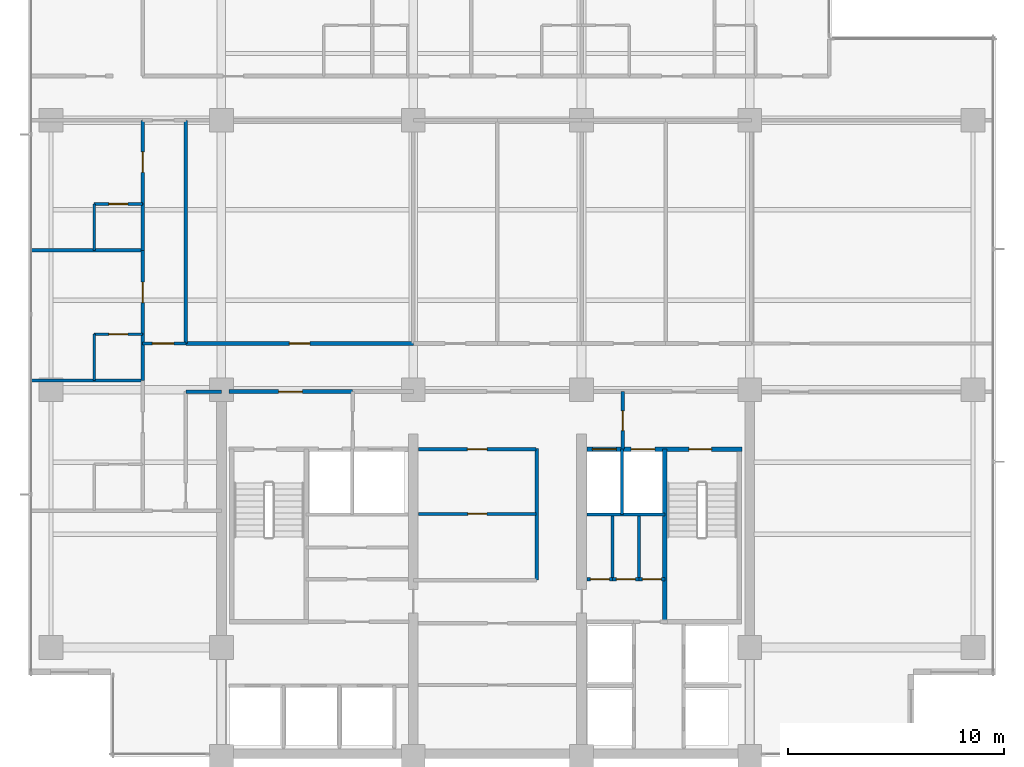
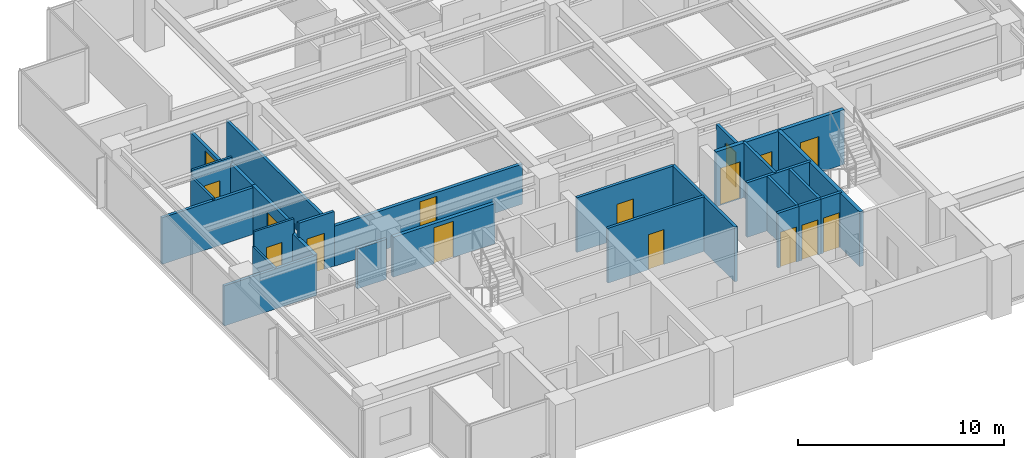
# One storey, part 8 of 14: 28 walls, 16 doors, 16 openings.
"""IFC4 building model written with IfcOpenShell, lengths in metres."""

from ifc_helpers import new_model, si_unit, direction, frame, frame_2d, origin, place, context, subcontext, project, spatial, rectangle, extrude, material, layer, layer_set, type_object, element, fill, save


model = new_model("IFC4")

# Units and contexts
model_context = context("Model", 3, precision=1e-05, world=origin(), true_north=direction((0.0, 1.0)))
body_context = subcontext(model_context, "Body", "Model", "MODEL_VIEW")
ifc_project = project(units=[si_unit("LENGTHUNIT", "METRE"), si_unit("AREAUNIT", "SQUARE_METRE"), si_unit("VOLUMEUNIT", "CUBIC_METRE"), si_unit("PLANEANGLEUNIT", "RADIAN"), si_unit("MASSUNIT", "GRAM", prefix="KILO")], contexts=[model_context])

# Site, building, storey
site_placement = place(None, origin())
site = spatial("IfcSite", under=ifc_project, at=site_placement, CompositionType="ELEMENT")
building_placement = place(site_placement, origin())
building = spatial("IfcBuilding", under=site, at=building_placement, Name="Qalmaran Belvedere Hotel", CompositionType="ELEMENT")
storey_placement = place(building_placement, frame((0.0, 0.0, 152.60009765625)))
storey = spatial("IfcBuildingStorey", under=building, at=storey_placement, Name="L38", CompositionType="ELEMENT", Elevation=152.60009765625)

# Wall, opening, door
ifc_material_1 = material(Name="Moisture-Resistant Gypsum")
ifc_layer_1 = layer(ifc_material_1, 0.1201171875, Name="Moisture-Resistant Gypsum")
ifc_layer_set_1 = layer_set([ifc_layer_1], Name="Moisture-Resistant Gypsum")
wall_type_1 = type_object("IfcWallType", Name="WL-INT-120-BATH", PredefinedType="PARTITIONING", material=ifc_layer_set_1)
wall_1_placement = place(storey_placement, frame((14.39990234375, 23.083251953125, 0.0), z_axis=(0.0, 0.0, 1.0), x_axis=(1.0, 0.0, 0.0)))
wall_1 = element("IfcWall", 1, at=wall_1_placement, inside=storey, type_object=wall_type_1, Name="L38 Partition WL-L38-WBN01", PredefinedType="PARTITIONING", context=body_context, shape_type="SweptSolid", body=[
    extrude(rectangle(XDim=2.25, YDim=0.1201171875, at=frame_2d((1.125, 0.0))), origin(), (0.0, 0.0, 1.0), 3.25),
])
opening_1_placement = place(wall_1_placement, frame((1.56494140625, 0.0, 0.0), z_axis=(0.0, 0.0, 1.0), x_axis=(-1.0, 0.0, 0.0)))
opening_1 = element("IfcOpeningElement", 2, at=opening_1_placement, cuts=wall_1, Name="Opening D-BATH", PredefinedType="OPENING", context=body_context, shape_type="SweptSolid", body=[
    extrude(rectangle(XDim=0.8798828125, YDim=2.080078125, at=frame_2d((0.43994140625, 1.0400390625))), frame((0.0, 0.070068359375, 0.0), z_axis=(0.0, -1.0, 0.0), x_axis=(1.0, 0.0, 0.0)), (0.0, 0.0, 1.0), 0.14013671875),
])
ifc_material_2 = material(Name="Engineered Oak Veneer")
door_type_1 = type_object("IfcDoorType", Name="DR-INT-BATH-880X2080", OperationType="NOTDEFINED", PredefinedType="DOOR", material=ifc_material_2)
door_1_placement = place(opening_1_placement, origin())
door_1 = element("IfcDoor", 3, at=door_1_placement, inside=storey, type_object=door_type_1, Name="L38 W Ensuite Door 02", OperationType="SINGLE_SWING_RIGHT", OverallHeight=2.080078125, OverallWidth=0.8798828125, PredefinedType="DOOR", context=body_context, shape_type="SweptSolid", body=[
    extrude(rectangle(XDim=0.8798828125, YDim=2.080078125, at=frame_2d((0.43994140625, 1.0400390625))), frame((0.0, 0.02490234375, 0.0), z_axis=(0.0, -1.0, 0.0), x_axis=(1.0, 0.0, 0.0)), (0.0, 0.0, 1.0), 0.050048828125),
])
fill(opening_1, door_1)

# Wall
wall_2_placement = place(storey_placement, frame((14.39990234375, 20.933349609375, 0.0), z_axis=(0.0, 0.0, 1.0), x_axis=(0.0, 1.0, 0.0)))
element("IfcWall", 4, at=wall_2_placement, inside=storey, type_object=wall_type_1, Name="L38 Partition WL-L38-WBS01", PredefinedType="PARTITIONING", context=body_context, shape_type="SweptSolid", body=[
    extrude(rectangle(XDim=2.14990234375, YDim=0.1201171875, at=frame_2d((1.074951171875, 0.0))), origin(), (0.0, 0.0, 1.0), 2.3798828125),
])

# Wall, opening, door
wall_3_placement = place(storey_placement, frame((14.39990234375, 29.11669921875, 0.0), z_axis=(0.0, 0.0, 1.0), x_axis=(1.0, 0.0, 0.0)))
wall_3 = element("IfcWall", 5, at=wall_3_placement, inside=storey, type_object=wall_type_1, Name="L38 Partition WL-L38-WBN02", PredefinedType="PARTITIONING", context=body_context, shape_type="SweptSolid", body=[
    extrude(rectangle(XDim=2.25, YDim=0.1201171875, at=frame_2d((1.125, 0.0))), origin(), (0.0, 0.0, 1.0), 3.25),
])
opening_2_placement = place(wall_3_placement, frame((1.56494140625, 0.0, 0.0), z_axis=(0.0, 0.0, 1.0), x_axis=(-1.0, 0.0, 0.0)))
opening_2 = element("IfcOpeningElement", 6, at=opening_2_placement, cuts=wall_3, Name="Opening D-BATH", PredefinedType="OPENING", context=body_context, shape_type="SweptSolid", body=[
    extrude(rectangle(XDim=0.8798828125, YDim=2.080078125, at=frame_2d((0.43994140625, 1.0400390625))), frame((0.0, 0.070068359375, 0.0), z_axis=(0.0, -1.0, 0.0), x_axis=(1.0, 0.0, 0.0)), (0.0, 0.0, 1.0), 0.14013671875),
])
door_2_placement = place(opening_2_placement, origin())
door_2 = element("IfcDoor", 7, at=door_2_placement, inside=storey, type_object=door_type_1, Name="L38 W Ensuite Door 03", OperationType="SINGLE_SWING_RIGHT", OverallHeight=2.080078125, OverallWidth=0.8798828125, PredefinedType="DOOR", context=body_context, shape_type="SweptSolid", body=[
    extrude(rectangle(XDim=0.8798828125, YDim=2.080078125, at=frame_2d((0.43994140625, 1.0400390625))), frame((0.0, 0.02490234375, 0.0), z_axis=(0.0, -1.0, 0.0), x_axis=(1.0, 0.0, 0.0)), (0.0, 0.0, 1.0), 0.050048828125),
])
fill(opening_2, door_2)

# Walls
wall_4_placement = place(storey_placement, frame((14.39990234375, 26.966796875, 0.0), z_axis=(0.0, 0.0, 1.0), x_axis=(0.0, 1.0, 0.0)))
element("IfcWall", 8, at=wall_4_placement, inside=storey, type_object=wall_type_1, Name="L38 Partition WL-L38-WBS02", PredefinedType="PARTITIONING", context=body_context, shape_type="SweptSolid", body=[
    extrude(rectangle(XDim=2.14990234375, YDim=0.1201171875, at=frame_2d((1.074951171875, 0.0))), origin(), (0.0, 0.0, 1.0), 2.880859375),
])
ifc_material_3 = material(Name="Gypsum Stud Partition")
ifc_layer_2 = layer(ifc_material_3, 0.14990234375, Name="Gypsum Stud Partition")
ifc_layer_set_2 = layer_set([ifc_layer_2], Name="Gypsum Stud Partition")
wall_type_2 = type_object("IfcWallType", Name="WL-INT-150-EI120", PredefinedType="PARTITIONING", material=ifc_layer_set_2)
wall_5_placement = place(storey_placement, frame((38.8798828125, 14.719970703125, 0.0), z_axis=(0.0, 0.0, 1.0), x_axis=(0.0, 1.0, 0.0)))
element("IfcWall", 9, at=wall_5_placement, inside=storey, type_object=wall_type_2, Name="L38 Partition WL-FF2M-L38", PredefinedType="PARTITIONING", context=body_context, shape_type="SweptSolid", body=[
    extrude(rectangle(XDim=3.0400390625, YDim=0.14990234375, at=frame_2d((1.52001953125, 0.0))), origin(), (0.0, 0.0, 1.0), 3.25),
])
ifc_layer_3 = layer(ifc_material_3, 0.14990234375, Name="Gypsum Stud Partition")
ifc_layer_set_3 = layer_set([ifc_layer_3], Name="Gypsum Stud Partition")
wall_type_3 = type_object("IfcWallType", Name="WL-INT-150-EI60", PredefinedType="PARTITIONING", material=ifc_layer_set_3)
for number, where, z_axis, x_axis, name in (
    (10, (38.44140625, 11.719970703125, 0.0), (0.0, 0.0, 1.0), (0.0, 1.0, 0.0), "L38 Partition WL-L38-KEV1"),
    (11, (39.668701171875, 11.719970703125, 0.0), (0.0, 0.0, 1.0), (0.0, 1.0, 0.0), "L38 Partition WL-L38-KEV2"),
):
    element("IfcWall", number, at=place(storey_placement, frame(where, z_axis=z_axis, x_axis=x_axis)), inside=storey, type_object=wall_type_3, Name=name, PredefinedType="PARTITIONING", context=body_context, shape_type="SweptSolid", body=[
        extrude(rectangle(XDim=2.929931640625, YDim=0.14990234375, at=frame_2d((1.46484375, 0.0))), origin(), (0.0, 0.0, 1.0), 3.25),
    ])

# Wall, opening, door
wall_6_placement = place(storey_placement, frame((29.449951171875, 14.7451171875, 0.0), z_axis=(0.0, 0.0, 1.0), x_axis=(1.0, 0.0, 0.0)))
wall_6 = element("IfcWall", 12, at=wall_6_placement, inside=storey, type_object=wall_type_3, Name="L38 Partition WL-L38-KPMHM", PredefinedType="PARTITIONING", context=body_context, shape_type="SweptSolid", body=[
    extrude(rectangle(XDim=5.429931640625, YDim=0.14990234375, at=frame_2d((2.71484375, 0.0))), origin(), (0.0, 0.0, 1.0), 3.25),
])
opening_3_placement = place(wall_6_placement, frame((3.15478515625, 0.0, 0.0), z_axis=(0.0, 0.0, 1.0), x_axis=(-1.0, 0.0, 0.0)))
opening_3 = element("IfcOpeningElement", 13, at=opening_3_placement, cuts=wall_6, Name="Opening FD60B", PredefinedType="OPENING", context=body_context, shape_type="SweptSolid", body=[
    extrude(rectangle(XDim=0.8798828125, YDim=2.080078125, at=frame_2d((0.43994140625, 1.0400390625))), frame((0.0, 0.0849609375, 0.0), z_axis=(0.0, -1.0, 0.0), x_axis=(1.0, 0.0, 0.0)), (0.0, 0.0, 1.0), 0.169921875),
])
ifc_material_4 = material(Name="Steel S355JR", Category="steel")
door_type_2 = type_object("IfcDoorType", Name="DR-FD60B-880X2080", OperationType="NOTDEFINED", PredefinedType="DOOR", material=ifc_material_4)
door_3_placement = place(opening_3_placement, origin())
door_3 = element("IfcDoor", 14, at=door_3_placement, inside=storey, type_object=door_type_2, Name="L38 Executive Butler Pantry Door", OperationType="SINGLE_SWING_RIGHT", OverallHeight=2.080078125, OverallWidth=0.8798828125, PredefinedType="DOOR", context=body_context, shape_type="SweptSolid", body=[
    extrude(rectangle(XDim=0.8798828125, YDim=2.080078125, at=frame_2d((0.43994140625, 1.0400390625))), frame((0.0, 0.02490234375, 0.0), z_axis=(0.0, -1.0, 0.0), x_axis=(1.0, 0.0, 0.0)), (0.0, 0.0, 1.0), 0.050048828125),
])
fill(opening_3, door_3)

wall_7_placement = place(storey_placement, frame((16.64990234375, 22.64990234375, 0.0), z_axis=(0.0, 0.0, 1.0), x_axis=(1.0, 0.0, 0.0)))
wall_7 = element("IfcWall", 15, at=wall_7_placement, inside=storey, type_object=wall_type_3, Name="L38 Partition WL-L38-XCW1", PredefinedType="PARTITIONING", context=body_context, shape_type="SweptSolid", body=[
    extrude(rectangle(XDim=2.0, YDim=0.14990234375, at=frame_2d((1.0, 0.0))), origin(), (0.0, 0.0, 1.0), 3.25),
])
opening_4_placement = place(wall_7_placement, frame((0.449951171875, 0.0, 0.0)))
opening_4 = element("IfcOpeningElement", 16, at=opening_4_placement, cuts=wall_7, Name="Opening FD90B", PredefinedType="OPENING", context=body_context, shape_type="SweptSolid", body=[
    extrude(rectangle(XDim=1.0, YDim=2.14990234375, at=frame_2d((0.5, 1.074951171875))), frame((0.0, 0.0849609375, 0.0), z_axis=(0.0, -1.0, 0.0), x_axis=(1.0, 0.0, 0.0)), (0.0, 0.0, 1.0), 0.169921875),
])
door_type_3 = type_object("IfcDoorType", Name="DR-FD90B-1000X2150", OperationType="NOTDEFINED", PredefinedType="DOOR", material=ifc_material_4)
door_4_placement = place(opening_4_placement, origin())
door_4 = element("IfcDoor", 17, at=door_4_placement, inside=storey, type_object=door_type_3, Name="L38 West Corridor Smoke Door S", OperationType="SINGLE_SWING_LEFT", OverallHeight=2.14990234375, OverallWidth=1.0, PredefinedType="DOOR", context=body_context, shape_type="SweptSolid", body=[
    extrude(rectangle(XDim=1.0, YDim=2.14990234375, at=frame_2d((0.5, 1.074951171875))), frame((0.0, 0.02490234375, 0.0), z_axis=(0.0, -1.0, 0.0), x_axis=(1.0, 0.0, 0.0)), (0.0, 0.0, 1.0), 0.050048828125),
])
fill(opening_4, door_4)

ifc_layer_4 = layer(ifc_material_3, 0.159912109375, Name="Gypsum Stud Partition")
ifc_layer_set_4 = layer_set([ifc_layer_4], Name="Gypsum Stud Partition")
wall_type_4 = type_object("IfcWallType", Name="WL-INT-160-EI120", PredefinedType="PARTITIONING", material=ifc_layer_set_4)
wall_8_placement = place(storey_placement, frame((38.919921875, 17.760009765625, 0.0), z_axis=(0.0, 0.0, 1.0), x_axis=(0.0, 1.0, 0.0)))
wall_8 = element("IfcWall", 18, at=wall_8_placement, inside=storey, type_object=wall_type_4, Name="L38 Partition WL-FFSV2-L38", PredefinedType="PARTITIONING", context=body_context, shape_type="SweptSolid", body=[
    extrude(rectangle(XDim=2.659912109375, YDim=0.159912109375, at=frame_2d((1.330078125, 0.0))), origin(), (0.0, 0.0, 1.0), 2.69189453125),
])
opening_5_placement = place(wall_8_placement, frame((1.77001953125, 0.0, 0.0), z_axis=(0.0, 0.0, 1.0), x_axis=(-1.0, 0.0, 0.0)))
opening_5 = element("IfcOpeningElement", 19, at=opening_5_placement, cuts=wall_8, Name="Opening FD60S1", PredefinedType="OPENING", context=body_context, shape_type="SweptSolid", body=[
    extrude(rectangle(XDim=0.919921875, YDim=2.080078125, at=frame_2d((0.4599609375, 1.0400390625))), frame((0.0, 0.08984375, 0.0), z_axis=(0.0, -1.0, 0.0), x_axis=(1.0, 0.0, 0.0)), (0.0, 0.0, 1.0), 0.179931640625),
])
door_type_4 = type_object("IfcDoorType", Name="DR-FD60S-920X2080", OperationType="NOTDEFINED", PredefinedType="DOOR", material=ifc_material_2)
door_5_placement = place(opening_5_placement, origin())
door_5 = element("IfcDoor", 20, at=door_5_placement, inside=storey, type_object=door_type_4, Name="L38 Service Lobby East Door", OperationType="SINGLE_SWING_RIGHT", OverallHeight=2.080078125, OverallWidth=0.919921875, PredefinedType="DOOR", context=body_context, shape_type="SweptSolid", body=[
    extrude(rectangle(XDim=0.919921875, YDim=2.080078125, at=frame_2d((0.4599609375, 1.0400390625))), frame((0.0, 0.02490234375, 0.0), z_axis=(0.0, -1.0, 0.0), x_axis=(1.0, 0.0, 0.0)), (0.0, 0.0, 1.0), 0.050048828125),
])
fill(opening_5, door_5)

# Wall
wall_9_placement = place(storey_placement, frame((37.25, 14.719970703125, 0.0), z_axis=(0.0, 0.0, 1.0), x_axis=(1.0, 0.0, 0.0)))
element("IfcWall", 21, at=wall_9_placement, inside=storey, type_object=wall_type_4, Name="L38 Partition WL-FF2S-L38", PredefinedType="PARTITIONING", context=body_context, shape_type="SweptSolid", body=[
    extrude(rectangle(XDim=3.610107421875, YDim=0.159912109375, at=frame_2d((1.80517578125, 0.0))), origin(), (0.0, 0.0, 1.0), 3.25),
])

# Wall, opening, door
ifc_layer_5 = layer(ifc_material_3, 0.159912109375, Name="Gypsum Stud Partition")
ifc_layer_set_5 = layer_set([ifc_layer_5], Name="Gypsum Stud Partition")
wall_type_5 = type_object("IfcWallType", Name="WL-INT-160-EI60", PredefinedType="PARTITIONING", material=ifc_layer_set_5)
wall_10_placement = place(storey_placement, frame((37.25, 11.719970703125, 0.0), z_axis=(0.0, 0.0, 1.0), x_axis=(1.0, 0.0, 0.0)))
wall_10 = element("IfcWall", 22, at=wall_10_placement, inside=storey, type_object=wall_type_5, Name="L38 Partition WL-L38-KEE1", PredefinedType="PARTITIONING", context=body_context, shape_type="SweptSolid", body=[
    extrude(rectangle(XDim=1.19140625, YDim=0.159912109375, at=frame_2d((0.595703125, 0.0))), origin(), (0.0, 0.0, 1.0), 3.25),
])
opening_6_placement = place(wall_10_placement, frame((0.155517578125, 0.0, 0.0)))
opening_6 = element("IfcOpeningElement", 23, at=opening_6_placement, cuts=wall_10, Name="Opening FD60B", PredefinedType="OPENING", context=body_context, shape_type="SweptSolid", body=[
    extrude(rectangle(XDim=0.8798828125, YDim=2.080078125, at=frame_2d((0.43994140625, 1.0400390625))), frame((0.0, 0.08984375, 0.0), z_axis=(0.0, -1.0, 0.0), x_axis=(1.0, 0.0, 0.0)), (0.0, 0.0, 1.0), 0.179931640625),
])
door_6_placement = place(opening_6_placement, origin())
door_6 = element("IfcDoor", 24, at=door_6_placement, inside=storey, type_object=door_type_2, Name="L38 Hotel Linen Closet Door", OperationType="SINGLE_SWING_RIGHT", OverallHeight=2.080078125, OverallWidth=0.8798828125, PredefinedType="DOOR", context=body_context, shape_type="SweptSolid", body=[
    extrude(rectangle(XDim=0.8798828125, YDim=2.080078125, at=frame_2d((0.43994140625, 1.0400390625))), frame((0.0, 0.02490234375, 0.0), z_axis=(0.0, -1.0, 0.0), x_axis=(1.0, 0.0, 0.0)), (0.0, 0.0, 1.0), 0.050048828125),
])
fill(opening_6, door_6)

wall_11_placement = place(storey_placement, frame((38.44140625, 11.719970703125, 0.0), z_axis=(0.0, 0.0, 1.0), x_axis=(1.0, 0.0, 0.0)))
wall_11 = element("IfcWall", 25, at=wall_11_placement, inside=storey, type_object=wall_type_5, Name="L38 Partition WL-L38-KEE2", PredefinedType="PARTITIONING", context=body_context, shape_type="SweptSolid", body=[
    extrude(rectangle(XDim=1.227294921875, YDim=0.159912109375, at=frame_2d((0.61376953125, 0.0))), origin(), (0.0, 0.0, 1.0), 3.25),
])
opening_7_placement = place(wall_11_placement, frame((0.173583984375, 0.0, 0.0)))
opening_7 = element("IfcOpeningElement", 26, at=opening_7_placement, cuts=wall_11, Name="Opening FD60B", PredefinedType="OPENING", context=body_context, shape_type="SweptSolid", body=[
    extrude(rectangle(XDim=0.8798828125, YDim=2.080078125, at=frame_2d((0.43994140625, 1.0400390625))), frame((0.0, 0.08984375, 0.0), z_axis=(0.0, -1.0, 0.0), x_axis=(1.0, 0.0, 0.0)), (0.0, 0.0, 1.0), 0.179931640625),
])
door_7_placement = place(opening_7_placement, origin())
door_7 = element("IfcDoor", 27, at=door_7_placement, inside=storey, type_object=door_type_2, Name="L38 Guest Ice and Beverage Pantry Door", OperationType="SINGLE_SWING_LEFT", OverallHeight=2.080078125, OverallWidth=0.8798828125, PredefinedType="DOOR", context=body_context, shape_type="SweptSolid", body=[
    extrude(rectangle(XDim=0.8798828125, YDim=2.080078125, at=frame_2d((0.43994140625, 1.0400390625))), frame((0.0, 0.02490234375, 0.0), z_axis=(0.0, -1.0, 0.0), x_axis=(1.0, 0.0, 0.0)), (0.0, 0.0, 1.0), 0.050048828125),
])
fill(opening_7, door_7)

wall_12_placement = place(storey_placement, frame((39.668701171875, 11.719970703125, 0.0), z_axis=(0.0, 0.0, 1.0), x_axis=(1.0, 0.0, 0.0)))
wall_12 = element("IfcWall", 28, at=wall_12_placement, inside=storey, type_object=wall_type_5, Name="L38 Partition WL-L38-KEE3", PredefinedType="PARTITIONING", context=body_context, shape_type="SweptSolid", body=[
    extrude(rectangle(XDim=1.19140625, YDim=0.159912109375, at=frame_2d((0.595703125, 0.0))), origin(), (0.0, 0.0, 1.0), 3.25),
])
opening_8_placement = place(wall_12_placement, frame((0.155517578125, 0.0, 0.0)))
opening_8 = element("IfcOpeningElement", 29, at=opening_8_placement, cuts=wall_12, Name="Opening FD60B", PredefinedType="OPENING", context=body_context, shape_type="SweptSolid", body=[
    extrude(rectangle(XDim=0.8798828125, YDim=2.080078125, at=frame_2d((0.43994140625, 1.0400390625))), frame((0.0, 0.08984375, 0.0), z_axis=(0.0, -1.0, 0.0), x_axis=(1.0, 0.0, 0.0)), (0.0, 0.0, 1.0), 0.179931640625),
])
door_8_placement = place(opening_8_placement, origin())
door_8 = element("IfcDoor", 30, at=door_8_placement, inside=storey, type_object=door_type_2, Name="L38 Cleaner Equipment Store Door", OperationType="SINGLE_SWING_RIGHT", OverallHeight=2.080078125, OverallWidth=0.8798828125, PredefinedType="DOOR", context=body_context, shape_type="SweptSolid", body=[
    extrude(rectangle(XDim=0.8798828125, YDim=2.080078125, at=frame_2d((0.43994140625, 1.0400390625))), frame((0.0, 0.02490234375, 0.0), z_axis=(0.0, -1.0, 0.0), x_axis=(1.0, 0.0, 0.0)), (0.0, 0.0, 1.0), 0.050048828125),
])
fill(opening_8, door_8)

# Wall
wall_13_placement = place(storey_placement, frame((34.919921875, 11.679931640625, 0.0), z_axis=(0.0, 0.0, 1.0), x_axis=(0.0, 1.0, 0.0)))
element("IfcWall", 31, at=wall_13_placement, inside=storey, type_object=wall_type_5, Name="L38 Partition WL-CLLV-L38", PredefinedType="PARTITIONING", context=body_context, shape_type="SweptSolid", body=[
    extrude(rectangle(XDim=6.10009765625, YDim=0.159912109375, at=frame_2d((3.050048828125, 0.0))), origin(), (0.0, 0.0, 1.0), 3.25),
])

# Wall, opening, door
wall_14_placement = place(storey_placement, frame((29.449951171875, 17.75, 0.0), z_axis=(0.0, 0.0, 1.0), x_axis=(1.0, 0.0, 0.0)))
wall_14 = element("IfcWall", 32, at=wall_14_placement, inside=storey, type_object=wall_type_5, Name="L38 Partition WL-L38-KPME1", PredefinedType="PARTITIONING", context=body_context, shape_type="SweptSolid", body=[
    extrude(rectangle(XDim=5.429931640625, YDim=0.159912109375, at=frame_2d((2.71484375, 0.0))), origin(), (0.0, 0.0, 1.0), 3.25),
])
opening_9_placement = place(wall_14_placement, frame((3.1748046875, 0.0, 0.0), z_axis=(0.0, 0.0, 1.0), x_axis=(-1.0, 0.0, 0.0)))
opening_9 = element("IfcOpeningElement", 33, at=opening_9_placement, cuts=wall_14, Name="Opening FD60S1", PredefinedType="OPENING", context=body_context, shape_type="SweptSolid", body=[
    extrude(rectangle(XDim=0.919921875, YDim=2.080078125, at=frame_2d((0.4599609375, 1.0400390625))), frame((0.0, 0.08984375, 0.0), z_axis=(0.0, -1.0, 0.0), x_axis=(1.0, 0.0, 0.0)), (0.0, 0.0, 1.0), 0.179931640625),
])
door_9_placement = place(opening_9_placement, origin())
door_9 = element("IfcDoor", 34, at=door_9_placement, inside=storey, type_object=door_type_4, Name="L38 Core Tableware Store Door", OperationType="SINGLE_SWING_LEFT", OverallHeight=2.080078125, OverallWidth=0.919921875, PredefinedType="DOOR", context=body_context, shape_type="SweptSolid", body=[
    extrude(rectangle(XDim=0.919921875, YDim=2.080078125, at=frame_2d((0.4599609375, 1.0400390625))), frame((0.0, 0.02490234375, 0.0), z_axis=(0.0, -1.0, 0.0), x_axis=(1.0, 0.0, 0.0)), (0.0, 0.0, 1.0), 0.050048828125),
])
fill(opening_9, door_9)

# Walls
wall_15_placement = place(storey_placement, frame((18.64990234375, 20.419921875, 0.0), z_axis=(0.0, 0.0, 1.0), x_axis=(1.0, 0.0, 0.0)))
element("IfcWall", 35, at=wall_15_placement, inside=storey, type_object=wall_type_5, Name="L38 Partition WL-L38-WCLN", PredefinedType="PARTITIONING", context=body_context, shape_type="SweptSolid", body=[
    extrude(rectangle(XDim=1.650146484375, YDim=0.159912109375, at=frame_2d((0.8251953125, 0.0))), origin(), (0.0, 0.0, 1.0), 2.3798828125),
])
wall_16_placement = place(storey_placement, frame((18.64990234375, 22.64990234375, 0.0), z_axis=(0.0, 0.0, 1.0), x_axis=(0.0, 1.0, 0.0)))
element("IfcWall", 36, at=wall_16_placement, inside=storey, type_object=wall_type_5, Name="L38 Partition WL-L38-MIDVL", PredefinedType="PARTITIONING", context=body_context, shape_type="SweptSolid", body=[
    extrude(rectangle(XDim=10.35009765625, YDim=0.159912109375, at=frame_2d((5.175048828125, 0.0))), origin(), (0.0, 0.0, 1.0), 2.3798828125),
])
wall_17_placement = place(storey_placement, frame((11.469970703125, 20.933349609375, 0.0), z_axis=(0.0, 0.0, 1.0), x_axis=(1.0, 0.0, 0.0)))
element("IfcWall", 37, at=wall_17_placement, inside=storey, type_object=wall_type_5, Name="L38 Partition WL-L38-WU00", PredefinedType="PARTITIONING", context=body_context, shape_type="SweptSolid", body=[
    extrude(rectangle(XDim=5.179931640625, YDim=0.159912109375, at=frame_2d((2.58984375, 0.0))), origin(), (0.0, 0.0, 1.0), 2.3798828125),
])
wall_18_placement = place(storey_placement, frame((11.469970703125, 26.966796875, 0.0), z_axis=(0.0, 0.0, 1.0), x_axis=(1.0, 0.0, 0.0)))
element("IfcWall", 38, at=wall_18_placement, inside=storey, type_object=wall_type_5, Name="L38 Partition WL-L38-WU01", PredefinedType="PARTITIONING", context=body_context, shape_type="SweptSolid", body=[
    extrude(rectangle(XDim=5.179931640625, YDim=0.159912109375, at=frame_2d((2.58984375, 0.0))), origin(), (0.0, 0.0, 1.0), 2.77197265625),
])

# Wall, opening, door
ifc_layer_6 = layer(ifc_material_3, 0.179931640625, Name="Gypsum Stud Partition")
ifc_layer_set_6 = layer_set([ifc_layer_6], Name="Gypsum Stud Partition")
wall_type_6 = type_object("IfcWallType", Name="WL-INT-180-EI60", PredefinedType="PARTITIONING", material=ifc_layer_set_6)
wall_19_placement = place(storey_placement, frame((18.64990234375, 22.64990234375, 0.0), z_axis=(0.0, 0.0, 1.0), x_axis=(1.0, 0.0, 0.0)))
wall_19 = element("IfcWall", 39, at=wall_19_placement, inside=storey, type_object=wall_type_6, Name="L38 Partition WL-L38-MIDD1", PredefinedType="PARTITIONING", context=body_context, shape_type="SweptSolid", body=[
    extrude(rectangle(XDim=10.550048828125, YDim=0.179931640625, at=frame_2d((5.27490234375, 0.0))), origin(), (0.0, 0.0, 1.0), 2.3798828125),
])
opening_10_placement = place(wall_19_placement, frame((4.800048828125, 0.0, 0.0)))
opening_10 = element("IfcOpeningElement", 40, at=opening_10_placement, cuts=wall_19, Name="Opening FD60", PredefinedType="OPENING", context=body_context, shape_type="SweptSolid", body=[
    extrude(rectangle(XDim=0.949951171875, YDim=2.14990234375, at=frame_2d((0.47509765625, 1.074951171875))), frame((0.0, 0.10009765625, 0.0), z_axis=(0.0, -1.0, 0.0), x_axis=(1.0, 0.0, 0.0)), (0.0, 0.0, 1.0), 0.199951171875),
])
door_type_5 = type_object("IfcDoorType", Name="DR-FD60-950X2150", OperationType="NOTDEFINED", PredefinedType="DOOR", material=ifc_material_2)
door_10_placement = place(opening_10_placement, origin())
door_10 = element("IfcDoor", 41, at=door_10_placement, inside=storey, type_object=door_type_5, Name="L38 Housekeeping and Linen Room Door", OperationType="SINGLE_SWING_LEFT", OverallHeight=2.14990234375, OverallWidth=0.949951171875, PredefinedType="DOOR", context=body_context, shape_type="SweptSolid", body=[
    extrude(rectangle(XDim=0.949951171875, YDim=2.14990234375, at=frame_2d((0.47509765625, 1.074951171875))), frame((0.0, 0.02490234375, 0.0), z_axis=(0.0, -1.0, 0.0), x_axis=(1.0, 0.0, 0.0)), (0.0, 0.0, 1.0), 0.050048828125),
])
fill(opening_10, door_10)

# Wall
wall_20_placement = place(storey_placement, frame((16.64990234375, 20.933349609375, 0.0), z_axis=(0.0, 0.0, 1.0), x_axis=(0.0, 1.0, 0.0)))
element("IfcWall", 42, at=wall_20_placement, inside=storey, type_object=wall_type_6, Name="L38 Partition WL-L38-WBC01", PredefinedType="PARTITIONING", context=body_context, shape_type="SweptSolid", body=[
    extrude(rectangle(XDim=2.14990234375, YDim=0.179931640625, at=frame_2d((1.074951171875, 0.0))), origin(), (0.0, 0.0, 1.0), 2.3798828125),
])

# Wall, opening, door
wall_21_placement = place(storey_placement, frame((16.64990234375, 23.083251953125, 0.0), z_axis=(0.0, 0.0, 1.0), x_axis=(0.0, 1.0, 0.0)))
wall_21 = element("IfcWall", 43, at=wall_21_placement, inside=storey, type_object=wall_type_6, Name="L38 Partition WL-L38-WEC01", PredefinedType="PARTITIONING", context=body_context, shape_type="SweptSolid", body=[
    extrude(rectangle(XDim=3.883544921875, YDim=0.179931640625, at=frame_2d((1.94189453125, 0.0))), origin(), (0.0, 0.0, 1.0), 2.880859375),
])
opening_11_placement = place(wall_21_placement, frame((1.466796875, 0.0, 0.0)))
opening_11 = element("IfcOpeningElement", 44, at=opening_11_placement, cuts=wall_21, Name="Opening FD60", PredefinedType="OPENING", context=body_context, shape_type="SweptSolid", body=[
    extrude(rectangle(XDim=0.949951171875, YDim=2.14990234375, at=frame_2d((0.47509765625, 1.074951171875))), frame((0.0, 0.10009765625, 0.0), z_axis=(0.0, -1.0, 0.0), x_axis=(1.0, 0.0, 0.0)), (0.0, 0.0, 1.0), 0.199951171875),
])
door_11_placement = place(opening_11_placement, origin())
door_11 = element("IfcDoor", 45, at=door_11_placement, inside=storey, type_object=door_type_5, Name="L38 W Wing Door 02", OperationType="SINGLE_SWING_LEFT", OverallHeight=2.14990234375, OverallWidth=0.949951171875, PredefinedType="DOOR", context=body_context, shape_type="SweptSolid", body=[
    extrude(rectangle(XDim=0.949951171875, YDim=2.14990234375, at=frame_2d((0.47509765625, 1.074951171875))), frame((0.0, 0.02490234375, 0.0), z_axis=(0.0, -1.0, 0.0), x_axis=(1.0, 0.0, 0.0)), (0.0, 0.0, 1.0), 0.050048828125),
])
fill(opening_11, door_11)

# Wall
wall_22_placement = place(storey_placement, frame((16.64990234375, 26.966796875, 0.0), z_axis=(0.0, 0.0, 1.0), x_axis=(0.0, 1.0, 0.0)))
element("IfcWall", 46, at=wall_22_placement, inside=storey, type_object=wall_type_6, Name="L38 Partition WL-L38-WBC02", PredefinedType="PARTITIONING", context=body_context, shape_type="SweptSolid", body=[
    extrude(rectangle(XDim=2.14990234375, YDim=0.179931640625, at=frame_2d((1.074951171875, 0.0))), origin(), (0.0, 0.0, 1.0), 2.880859375),
])

# Wall, opening, door
wall_23_placement = place(storey_placement, frame((16.64990234375, 29.11669921875, 0.0), z_axis=(0.0, 0.0, 1.0), x_axis=(0.0, 1.0, 0.0)))
wall_23 = element("IfcWall", 47, at=wall_23_placement, inside=storey, type_object=wall_type_6, Name="L38 Partition WL-L38-WEC02", PredefinedType="PARTITIONING", context=body_context, shape_type="SweptSolid", body=[
    extrude(rectangle(XDim=3.88330078125, YDim=0.179931640625, at=frame_2d((1.941650390625, 0.0))), origin(), (0.0, 0.0, 1.0), 2.3798828125),
])
opening_12_placement = place(wall_23_placement, frame((1.466552734375, 0.0, 0.0)))
opening_12 = element("IfcOpeningElement", 48, at=opening_12_placement, cuts=wall_23, Name="Opening FD60", PredefinedType="OPENING", context=body_context, shape_type="SweptSolid", body=[
    extrude(rectangle(XDim=0.949951171875, YDim=2.14990234375, at=frame_2d((0.47509765625, 1.074951171875))), frame((0.0, 0.10009765625, 0.0), z_axis=(0.0, -1.0, 0.0), x_axis=(1.0, 0.0, 0.0)), (0.0, 0.0, 1.0), 0.199951171875),
])
door_12_placement = place(opening_12_placement, origin())
door_12 = element("IfcDoor", 49, at=door_12_placement, inside=storey, type_object=door_type_5, Name="L38 W Wing Door 03", OperationType="SINGLE_SWING_LEFT", OverallHeight=2.14990234375, OverallWidth=0.949951171875, PredefinedType="DOOR", context=body_context, shape_type="SweptSolid", body=[
    extrude(rectangle(XDim=0.949951171875, YDim=2.14990234375, at=frame_2d((0.47509765625, 1.074951171875))), frame((0.0, 0.02490234375, 0.0), z_axis=(0.0, -1.0, 0.0), x_axis=(1.0, 0.0, 0.0)), (0.0, 0.0, 1.0), 0.050048828125),
])
fill(opening_12, door_12)

ifc_material_5 = material(Name="Concrete C30/37 Blockwork", Category="masonry")
ifc_layer_7 = layer(ifc_material_5, 0.199951171875, Name="Concrete C30/37 Blockwork")
ifc_layer_set_7 = layer_set([ifc_layer_7], Name="Concrete C30/37 Blockwork")
wall_type_7 = type_object("IfcWallType", Name="WL-INT-200-EI120", PredefinedType="PARTITIONING", material=ifc_layer_set_7)
wall_24_placement = place(storey_placement, frame((20.64990234375, 20.419921875, 0.0), z_axis=(0.0, 0.0, 1.0), x_axis=(1.0, 0.0, 0.0)))
wall_24 = element("IfcWall", 50, at=wall_24_placement, inside=storey, type_object=wall_type_7, Name="L38 Partition WL-CN1A-L38", PredefinedType="PARTITIONING", context=body_context, shape_type="SweptSolid", body=[
    extrude(rectangle(XDim=5.72998046875, YDim=0.199951171875, at=frame_2d((2.864990234375, 0.0))), origin(), (0.0, 0.0, 1.0), 2.3798828125),
])
opening_13_placement = place(wall_24_placement, frame((2.300048828125, 0.0, 0.0)))
opening_13 = element("IfcOpeningElement", 51, at=opening_13_placement, cuts=wall_24, Name="Opening FD90", PredefinedType="OPENING", context=body_context, shape_type="SweptSolid", body=[
    extrude(rectangle(XDim=1.10009765625, YDim=2.14990234375, at=frame_2d((0.550048828125, 1.074951171875))), frame((0.0, 0.10986328125, 0.0), z_axis=(0.0, -1.0, 0.0), x_axis=(1.0, 0.0, 0.0)), (0.0, 0.0, 1.0), 0.219970703125),
])
door_type_6 = type_object("IfcDoorType", Name="DR-FD90-1100X2150", OperationType="NOTDEFINED", PredefinedType="DOOR", material=ifc_material_4)
door_13_placement = place(opening_13_placement, origin())
door_13 = element("IfcDoor", 52, at=door_13_placement, inside=storey, type_object=door_type_6, Name="L38 FF1 Lobby Corridor Door", OperationType="SINGLE_SWING_LEFT", OverallHeight=2.14990234375, OverallWidth=1.10009765625, PredefinedType="DOOR", context=body_context, shape_type="SweptSolid", body=[
    extrude(rectangle(XDim=1.10009765625, YDim=2.14990234375, at=frame_2d((0.550048828125, 1.074951171875))), frame((0.0, 0.02490234375, 0.0), z_axis=(0.0, -1.0, 0.0), x_axis=(1.0, 0.0, 0.0)), (0.0, 0.0, 1.0), 0.050048828125),
])
fill(opening_13, door_13)

# Wall
ifc_material_6 = material(Name="Concrete C50/60", Category="concrete")
ifc_layer_8 = layer(ifc_material_6, 0.2099609375, Name="Concrete C50/60")
ifc_layer_set_8 = layer_set([ifc_layer_8], Name="Concrete C50/60")
wall_type_8 = type_object("IfcWallType", Name="WL-STAIR-210-C50", PredefinedType="SHEAR", material=ifc_layer_set_8)
wall_25_placement = place(storey_placement, frame((40.85498046875, 9.7451171875, 0.0), z_axis=(0.0, 0.0, 1.0), x_axis=(0.0, 1.0, 0.0)))
element("IfcWall", 53, at=wall_25_placement, inside=storey, type_object=wall_type_8, Name="L38 Stair ST-2 West Bearing Wall", PredefinedType="SHEAR", context=body_context, shape_type="SweptSolid", body=[
    extrude(rectangle(XDim=8.009765625, YDim=0.2099609375, at=frame_2d((4.0048828125, 0.0))), origin(), (0.0, 0.0, 1.0), 3.25),
])

# Wall, openings, doors
wall_26_placement = place(storey_placement, frame((37.25, 17.7548828125, 0.0), z_axis=(0.0, 0.0, 1.0), x_axis=(1.0, 0.0, 0.0)))
wall_26 = element("IfcWall", 54, at=wall_26_placement, inside=storey, type_object=wall_type_8, Name="L38 East Lobby and Stair ST-2 North Bearing Wall", PredefinedType="SHEAR", context=body_context, shape_type="SweptSolid", body=[
    extrude(rectangle(XDim=7.199951171875, YDim=0.2099609375, at=frame_2d((3.60009765625, 0.0))), origin(), (0.0, 0.0, 1.0), 3.25),
])
opening_14_placement = place(wall_26_placement, frame((0.25, 0.0, 0.0)))
opening_14 = element("IfcOpeningElement", 55, at=opening_14_placement, cuts=wall_26, Name="Opening LD-SV", PredefinedType="OPENING", context=body_context, shape_type="SweptSolid", body=[
    extrude(rectangle(XDim=1.1201171875, YDim=2.199951171875, at=frame_2d((0.56005859375, 1.10009765625))), frame((0.0, 0.114990234375, 0.0), z_axis=(0.0, -1.0, 0.0), x_axis=(1.0, 0.0, 0.0)), (0.0, 0.0, 1.0), 0.22998046875),
])
opening_15_placement = place(wall_26_placement, frame((2.050048828125, 0.0, 0.0)))
opening_15 = element("IfcOpeningElement", 56, at=opening_15_placement, cuts=wall_26, Name="Opening LD-FF", PredefinedType="OPENING", context=body_context, shape_type="SweptSolid", body=[
    extrude(rectangle(XDim=1.10009765625, YDim=2.179931640625, at=frame_2d((0.550048828125, 1.08984375))), frame((0.0, 0.114990234375, 0.0), z_axis=(0.0, -1.0, 0.0), x_axis=(1.0, 0.0, 0.0)), (0.0, 0.0, 1.0), 0.22998046875),
])
opening_16_placement = place(wall_26_placement, frame((5.780029296875, 0.0, 0.0), z_axis=(0.0, 0.0, 1.0), x_axis=(-1.0, 0.0, 0.0)))
opening_16 = element("IfcOpeningElement", 57, at=opening_16_placement, cuts=wall_26, Name="Opening FD90S2", PredefinedType="OPENING", context=body_context, shape_type="SweptSolid", body=[
    extrude(rectangle(XDim=1.050048828125, YDim=2.14990234375, at=frame_2d((0.52490234375, 1.074951171875))), frame((0.0, 0.114990234375, 0.0), z_axis=(0.0, -1.0, 0.0), x_axis=(1.0, 0.0, 0.0)), (0.0, 0.0, 1.0), 0.22998046875),
])
door_type_7 = type_object("IfcDoorType", Name="DR-FD90S-1050X2150", OperationType="NOTDEFINED", PredefinedType="DOOR", material=ifc_material_4)
door_14_placement = place(opening_16_placement, origin())
door_14 = element("IfcDoor", 58, at=door_14_placement, inside=storey, type_object=door_type_7, Name="L38 Stair ST-2 Door", OperationType="SINGLE_SWING_RIGHT", OverallHeight=2.14990234375, OverallWidth=1.050048828125, PredefinedType="DOOR", context=body_context, shape_type="SweptSolid", body=[
    extrude(rectangle(XDim=1.050048828125, YDim=2.14990234375, at=frame_2d((0.52490234375, 1.074951171875))), frame((0.0, 0.02490234375, 0.0), z_axis=(0.0, -1.0, 0.0), x_axis=(1.0, 0.0, 0.0)), (0.0, 0.0, 1.0), 0.050048828125),
])
fill(opening_16, door_14)
ifc_material_7 = material(Name="Stainless Steel 1.4401", Category="steel")
door_type_8 = type_object("IfcDoorType", Name="DR-LIFT-FF-1100X2180", OperationType="DOUBLE_DOOR_SLIDING", PredefinedType="DOOR", material=ifc_material_7)
door_15_placement = place(opening_15_placement, origin())
door_15 = element("IfcDoor", 59, at=door_15_placement, inside=storey, type_object=door_type_8, Name="L38 FF2 Lift Landing Door", OperationType="DOUBLE_DOOR_SLIDING", OverallHeight=2.179931640625, OverallWidth=1.10009765625, PredefinedType="DOOR", context=body_context, shape_type="SweptSolid", body=[
    extrude(rectangle(XDim=1.10009765625, YDim=2.179931640625, at=frame_2d((0.550048828125, 1.08984375))), frame((0.0, 0.02490234375, 0.0), z_axis=(0.0, -1.0, 0.0), x_axis=(1.0, 0.0, 0.0)), (0.0, 0.0, 1.0), 0.050048828125),
])
fill(opening_15, door_15)
door_type_9 = type_object("IfcDoorType", Name="DR-LIFT-SV-1120X2200", OperationType="DOUBLE_DOOR_SLIDING", PredefinedType="DOOR", material=ifc_material_7)
door_16_placement = place(opening_14_placement, origin())
door_16 = element("IfcDoor", 60, at=door_16_placement, inside=storey, type_object=door_type_9, Name="L38 SV2 Lift Landing Door", OperationType="DOUBLE_DOOR_SLIDING", OverallHeight=2.199951171875, OverallWidth=1.1201171875, PredefinedType="DOOR", context=body_context, shape_type="SweptSolid", body=[
    extrude(rectangle(XDim=1.1201171875, YDim=2.199951171875, at=frame_2d((0.56005859375, 1.10009765625))), frame((0.0, 0.02490234375, 0.0), z_axis=(0.0, -1.0, 0.0), x_axis=(1.0, 0.0, 0.0)), (0.0, 0.0, 1.0), 0.050048828125),
])
fill(opening_14, door_16)

save(model, "model.ifc")
